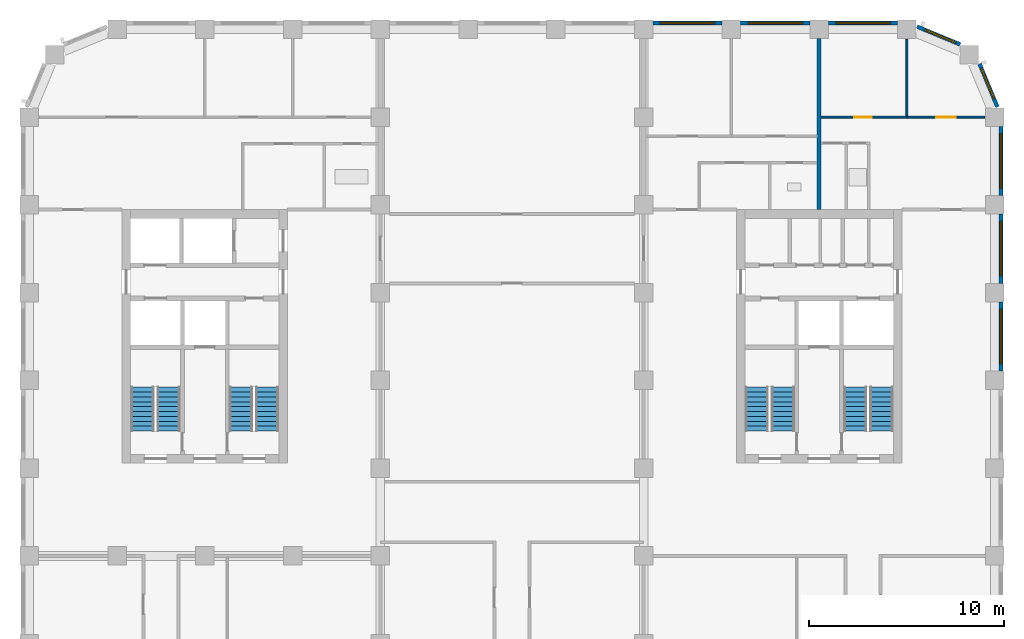
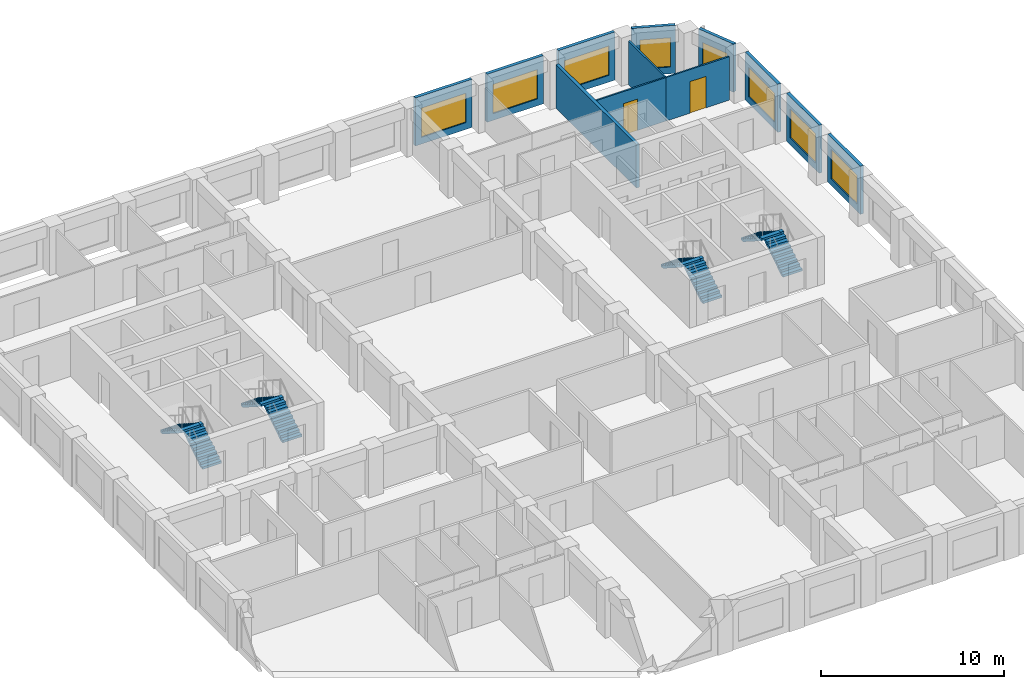
# One storey, part 9 of 12: 12 walls, 8 stair flights, 8 windows, 2 doors, 10 openings, 4 elements without a shape of their own.
"""IFC4 building model written with IfcOpenShell, lengths in metres."""

import ifcopenshell
import ifcopenshell.guid

model = None  # the IFC model being written
_history = None  # IfcOwnerHistory: only IFC2X3 demands one
_inside = {}  # id of a spatial element -> (the spatial element, [elements in it])
_under = {}  # id of a project, library or spatial element -> (it, [spatial elements below it])
_declared = {}  # id of a project -> (the project, [libraries it declares])
_typed = {}  # id of a type object -> (the type object, [elements of that type])
_made_of = {}  # id of a material, layer set ... -> (it, [elements and type objects made of it])


def new_model(schema):
    """Start an empty IFC model of exactly this schema.

    Asked for "IFC4X3", IfcOpenShell would pick the latest addendum, in which some entities
    have other attributes; the version numbers below select the first issue.
    IFC2X3 requires an IfcOwnerHistory on every rooted entity: one is made here for all.
    """
    global model, _history
    if schema == "IFC4X3":
        model = ifcopenshell.file(schema_version=(4, 3, 0, 0))
    else:
        model = ifcopenshell.file(schema=schema)
    _inside.clear()
    _under.clear()
    _declared.clear()
    _typed.clear()
    _made_of.clear()
    _history = None
    if model.schema == "IFC2X3":
        org = make("IfcOrganization", Name="unknown")
        user = make(
            "IfcPersonAndOrganization",
            ThePerson=make("IfcPerson", FamilyName="unknown"),
            TheOrganization=org,
        )
        app = make(
            "IfcApplication",
            ApplicationDeveloper=org,
            Version="unknown",
            ApplicationFullName="unknown",
            ApplicationIdentifier="unknown",
        )
        _history = make(
            "IfcOwnerHistory",
            OwningUser=user,
            OwningApplication=app,
            ChangeAction="ADDED",
            CreationDate=0,
        )
    return model


def make(cls, **values):
    """One entity of the class cls with the attributes given. An attribute that is None is left unset."""
    return model.create_entity(
        cls, **{name: value for name, value in values.items() if value is not None}
    )


def rooted(cls, **values):
    """An entity with a GlobalId (a new one), such as an element, a storey or a relation."""
    return make(cls, GlobalId=ifcopenshell.guid.new(), OwnerHistory=_history, **values)


def si_unit(unit_type, name, prefix=None):
    """IfcSIUnit, for example si_unit("LENGTHUNIT", "METRE", prefix="MILLI")."""
    return make("IfcSIUnit", UnitType=unit_type, Prefix=prefix, Name=name)


def assignment(units):
    """IfcUnitAssignment: the units of a project."""
    return None if units is None else make("IfcUnitAssignment", Units=units)


def point(xyz):
    """IfcCartesianPoint."""
    return None if xyz is None else make("IfcCartesianPoint", Coordinates=xyz)


def direction(xyz):
    """IfcDirection."""
    return None if xyz is None else make("IfcDirection", DirectionRatios=xyz)


def frame(location, z_axis=None, x_axis=None):
    """IfcAxis2Placement3D, a coordinate frame: its origin and axes. An axis left out is left unset."""
    return make(
        "IfcAxis2Placement3D",
        Location=point(location),
        Axis=direction(z_axis),
        RefDirection=direction(x_axis),
    )


def frame_2d(location, x_axis=None):
    """IfcAxis2Placement2D, a coordinate frame in the plane: its origin and x axis."""
    return make(
        "IfcAxis2Placement2D", Location=point(location), RefDirection=direction(x_axis)
    )


def origin():
    """The frame at (0, 0, 0) with its axes left unset."""
    return frame((0.0, 0.0, 0.0))


def place(relative_to, where):
    """IfcLocalPlacement: puts the frame where relative to a parent placement (None: the world)."""
    return make(
        "IfcLocalPlacement", PlacementRelTo=relative_to, RelativePlacement=where
    )


def context(
    kind, dimensions, precision=None, world=None, true_north=None, identifier=None
):
    """IfcGeometricRepresentationContext, for example the 3D "Model" context."""
    return make(
        "IfcGeometricRepresentationContext",
        ContextIdentifier=identifier,
        ContextType=kind,
        CoordinateSpaceDimension=dimensions,
        Precision=precision,
        WorldCoordinateSystem=world,
        TrueNorth=true_north,
    )


def subcontext(parent, identifier, kind, view, scale=None):
    """IfcGeometricRepresentationSubContext, for example "Body" below "Model"."""
    return make(
        "IfcGeometricRepresentationSubContext",
        ContextIdentifier=identifier,
        ContextType=kind,
        ParentContext=parent,
        TargetScale=scale,
        TargetView=view,
    )


def project(units=None, contexts=None):
    """IfcProject with its units and contexts."""
    return rooted(
        "IfcProject",
        Name="project",
        RepresentationContexts=contexts,
        UnitsInContext=assignment(units),
    )


def spatial(cls, under=None, at=None, **own):
    """A site, building, storey or space (cls), placed at a placement, below another one or the project."""
    s = rooted(cls, ObjectPlacement=at, **own)
    if under is not None:
        _under.setdefault(under.id(), (under, []))[1].append(s)
    return s


def polyline(points):
    """IfcPolyline through the points."""
    return make("IfcPolyline", Points=[point(p) for p in points])


def profile(cls, at=None, kind="AREA", **sizes):
    """A parametric profile (cls). Its sizes go by their IFC names, for example OverallWidth=200.0."""
    return make(cls, ProfileType=kind, Position=at, **sizes)


def rectangle(**sizes):
    """IfcRectangleProfileDef."""
    return profile("IfcRectangleProfileDef", **sizes)


def outline(outer, holes=None, kind="AREA"):
    """IfcArbitraryClosedProfileDef: a profile drawn as a closed curve; with holes, ...WithVoids."""
    if holes is None:
        return make("IfcArbitraryClosedProfileDef", ProfileType=kind, OuterCurve=outer)
    return make(
        "IfcArbitraryProfileDefWithVoids",
        ProfileType=kind,
        OuterCurve=outer,
        InnerCurves=holes,
    )


def extrude(swept, where, along, depth):
    """IfcExtrudedAreaSolid: the profile swept, set in the frame where, extruded along a direction by depth."""
    return make(
        "IfcExtrudedAreaSolid",
        SweptArea=swept,
        Position=where,
        ExtrudedDirection=direction(along),
        Depth=depth,
    )


def shape(context_of_items, identifier, shape_type, items):
    """IfcShapeRepresentation: the items that make up one representation, for example the "Body"."""
    return make(
        "IfcShapeRepresentation",
        ContextOfItems=context_of_items,
        RepresentationIdentifier=identifier,
        RepresentationType=shape_type,
        Items=items,
    )


def material(Name=None, Category=None):
    """IfcMaterial."""
    return make("IfcMaterial", Name=Name, Category=Category)


def layer(
    of_material, thickness, ventilated=None, Name=None, Category=None, Priority=None
):
    """IfcMaterialLayer: one layer of a wall or slab, of a material (None: an air gap)."""
    return make(
        "IfcMaterialLayer",
        Material=of_material,
        LayerThickness=thickness,
        IsVentilated=ventilated,
        Name=Name,
        Category=Category,
        Priority=Priority,
    )


def layer_set(layers, Name=None):
    """IfcMaterialLayerSet."""
    return make("IfcMaterialLayerSet", MaterialLayers=layers, LayerSetName=Name)


def made_of(thing, what):
    """Note that an element or type object is made of a material, layer set ...; save() writes the relation."""
    if what is not None:
        _made_of.setdefault(what.id(), (what, []))[1].append(thing)
    return thing


def type_object(cls, material=None, **own):
    """A type object (cls), such as IfcWallType, which elements share."""
    return made_of(rooted(cls, **own), material)


def element(
    cls,
    number,
    at=None,
    inside=None,
    cuts=None,
    type_object=None,
    material=None,
    context=None,
    identifier="Body",
    shape_type=None,
    held_by="IfcProductDefinitionShape",
    body=None,
    shapes=None,
    **own,
):
    """One element of the class cls, such as IfcWall. Its Tag is "e" and its number.

    at: its placement. inside: the storey or other place that contains it. cuts: it is an
    opening in that element (IfcRelVoidsElement). A single representation is given by context,
    identifier, shape_type and body (its items); several are given by shapes. held_by: the class
    of the entity that holds the representations. save() writes the other relations.
    """
    e = rooted(cls, Tag="e%d" % number, ObjectPlacement=at, **own)
    if body is not None:
        shapes = [shape(context, identifier, shape_type, body)]
    if shapes is not None:
        e.Representation = make(held_by, Representations=shapes)
    if inside is not None:
        _inside.setdefault(inside.id(), (inside, []))[1].append(e)
    if cuts is not None:
        rooted(
            "IfcRelVoidsElement", RelatingBuildingElement=cuts, RelatedOpeningElement=e
        )
    if type_object is not None:
        _typed.setdefault(type_object.id(), (type_object, []))[1].append(e)
    return made_of(e, material)


def fill(opening, filler):
    """IfcRelFillsElement: the door or window that sits in an opening."""
    return rooted(
        "IfcRelFillsElement",
        RelatingOpeningElement=opening,
        RelatedBuildingElement=filler,
    )


def aggregate(whole, parts):
    """IfcRelAggregates: a whole, such as a stair, and the parts it consists of."""
    return rooted("IfcRelAggregates", RelatingObject=whole, RelatedObjects=parts)


def save(model, path):
    """Write the relations noted so far, then the file.

    IfcRelAggregates (storeys below a building ...), IfcRelContainedInSpatialStructure (elements
    in a storey), IfcRelDefinesByType, IfcRelAssociatesMaterial and IfcRelDeclares: one each for
    every whole, place, type object, material and project.
    """
    for whole, parts in _under.values():
        aggregate(whole, parts)
    for where, things in _inside.values():
        rooted(
            "IfcRelContainedInSpatialStructure",
            RelatedElements=things,
            RelatingStructure=where,
        )
    for kind, things in _typed.values():
        rooted("IfcRelDefinesByType", RelatedObjects=things, RelatingType=kind)
    for what, things in _made_of.values():
        rooted("IfcRelAssociatesMaterial", RelatedObjects=things, RelatingMaterial=what)
    for by, libraries in _declared.values():
        rooted("IfcRelDeclares", RelatingContext=by, RelatedDefinitions=libraries)
    model.write(path)


model = new_model("IFC4")

# Units and contexts
model_context = context("Model", 3, precision=1e-05, world=origin(), true_north=direction((0.0, 1.0)))
body_context = subcontext(model_context, "Body", "Model", "MODEL_VIEW")
ifc_project = project(units=[si_unit("LENGTHUNIT", "METRE"), si_unit("AREAUNIT", "SQUARE_METRE"), si_unit("VOLUMEUNIT", "CUBIC_METRE"), si_unit("PLANEANGLEUNIT", "RADIAN"), si_unit("MASSUNIT", "GRAM", prefix="KILO")], contexts=[model_context])

# Site, building, storey
site_placement = place(None, origin())
site = spatial("IfcSite", under=ifc_project, at=site_placement, CompositionType="ELEMENT")
building_placement = place(site_placement, origin())
building = spatial("IfcBuilding", under=site, at=building_placement, Name="Girih Gate Residences", CompositionType="ELEMENT")
storey_placement = place(building_placement, frame((0.0, 0.0, 143.0)))
storey = spatial("IfcBuildingStorey", under=building, at=storey_placement, Name="L40", CompositionType="ELEMENT", Elevation=143.0)

# Wall, opening, door
ifc_material_1 = material(Name="Gypsum board on steel studs", Category="steel")
ifc_layer_1 = layer(ifc_material_1, 0.10009765625)
ifc_layer_set_1 = layer_set([ifc_layer_1], Name="Partition 100 mm")
wall_type_1 = type_object("IfcWallType", Name="Partition 100 mm", PredefinedType="PARTITIONING", material=ifc_layer_set_1)
wall_1_placement = place(storey_placement, frame((40.60009765625, 45.0, 0.0), z_axis=(0.0, 0.0, 1.0), x_axis=(1.0, 0.0, 0.0)))
wall_1 = element("IfcWall", 1, at=wall_1_placement, inside=storey, type_object=wall_type_1, Name="L40 partition", PredefinedType="PARTITIONING", context=body_context, shape_type="SweptSolid", body=[
    extrude(rectangle(XDim=4.39990234375, YDim=0.10009765625, at=frame_2d((2.199951171875, 0.0))), origin(), (0.0, 0.0, 1.0), 2.89990234375),
])
opening_1_placement = place(wall_1_placement, frame((1.699951171875, 0.0, 0.0)))
opening_1 = element("IfcOpeningElement", 2, at=opening_1_placement, cuts=wall_1, Name="Opening A40-029", PredefinedType="OPENING", context=body_context, shape_type="SweptSolid", body=[
    extrude(rectangle(XDim=0.89990234375, YDim=2.10009765625, at=frame_2d((0.449951171875, 1.050048828125))), frame((0.0, 0.06005859375, 0.0), z_axis=(0.0, -1.0, 0.0), x_axis=(1.0, 0.0, 0.0)), (0.0, 0.0, 1.0), 0.1201171875),
])
ifc_material_2 = material(Name="Timber", Category="wood")
door_type_1 = type_object("IfcDoorType", Name="Bedroom door 900x2100", OperationType="NOTDEFINED", PredefinedType="DOOR", material=ifc_material_2)
door_1_placement = place(opening_1_placement, origin())
door_1 = element("IfcDoor", 3, at=door_1_placement, inside=storey, type_object=door_type_1, Name="Door A40-029", OperationType="SINGLE_SWING_LEFT", OverallHeight=2.10009765625, OverallWidth=0.89990234375, PredefinedType="DOOR", context=body_context, shape_type="SweptSolid", body=[
    extrude(rectangle(XDim=0.89990234375, YDim=2.10009765625, at=frame_2d((0.449951171875, 1.050048828125))), frame((0.0, 0.02490234375, 0.0), z_axis=(0.0, -1.0, 0.0), x_axis=(1.0, 0.0, 0.0)), (0.0, 0.0, 1.0), 0.050048828125),
])
fill(opening_1, door_1)

# Wall
wall_2_placement = place(storey_placement, frame((45.0, 45.050048828125, 0.0), z_axis=(0.0, 0.0, 1.0), x_axis=(0.0, 1.0, 0.0)))
element("IfcWall", 4, at=wall_2_placement, inside=storey, type_object=wall_type_1, Name="L40 partition", PredefinedType="PARTITIONING", context=body_context, shape_type="SweptSolid", body=[
    extrude(rectangle(XDim=3.935791015625, YDim=0.10009765625, at=frame_2d((1.9677734375, 0.0))), origin(), (0.0, 0.0, 1.0), 2.89990234375),
])

# Wall, opening, door
wall_3_placement = place(storey_placement, frame((45.0, 45.0, 0.0), z_axis=(0.0, 0.0, 1.0), x_axis=(1.0, 0.0, 0.0)))
wall_3 = element("IfcWall", 5, at=wall_3_placement, inside=storey, type_object=wall_type_1, Name="L40 partition", PredefinedType="PARTITIONING", context=body_context, shape_type="SweptSolid", body=[
    extrude(rectangle(XDim=3.98583984375, YDim=0.10009765625, at=frame_2d((1.992919921875, 0.0))), origin(), (0.0, 0.0, 1.0), 2.89990234375),
])
opening_2_placement = place(wall_3_placement, frame((1.512451171875, 0.0, 0.0)))
opening_2 = element("IfcOpeningElement", 6, at=opening_2_placement, cuts=wall_3, Name="Opening A40-031", PredefinedType="OPENING", context=body_context, shape_type="SweptSolid", body=[
    extrude(rectangle(XDim=1.0, YDim=2.10009765625, at=frame_2d((0.5, 1.050048828125))), frame((0.0, 0.06005859375, 0.0), z_axis=(0.0, -1.0, 0.0), x_axis=(1.0, 0.0, 0.0)), (0.0, 0.0, 1.0), 0.1201171875),
])
door_type_2 = type_object("IfcDoorType", Name="Living room door 1000x2100", OperationType="NOTDEFINED", PredefinedType="DOOR", material=ifc_material_2)
door_2_placement = place(opening_2_placement, origin())
door_2 = element("IfcDoor", 7, at=door_2_placement, inside=storey, type_object=door_type_2, Name="Door A40-031", OperationType="SINGLE_SWING_RIGHT", OverallHeight=2.10009765625, OverallWidth=1.0, PredefinedType="DOOR", context=body_context, shape_type="SweptSolid", body=[
    extrude(rectangle(XDim=1.0, YDim=2.10009765625, at=frame_2d((0.5, 1.050048828125))), frame((0.0, 0.02490234375, 0.0), z_axis=(0.0, -1.0, 0.0), x_axis=(1.0, 0.0, 0.0)), (0.0, 0.0, 1.0), 0.050048828125),
])
fill(opening_2, door_2)

# Wall
ifc_layer_2 = layer(ifc_material_1, 0.199951171875)
ifc_layer_set_2 = layer_set([ifc_layer_2], Name="Party wall 200 mm")
wall_type_2 = type_object("IfcWallType", Name="Party wall 200 mm", PredefinedType="PARTITIONING", material=ifc_layer_set_2)
wall_4_placement = place(storey_placement, frame((40.5, 40.25, 0.0), z_axis=(0.0, 0.0, 1.0), x_axis=(0.0, 1.0, 0.0)))
element("IfcWall", 8, at=wall_4_placement, inside=storey, type_object=wall_type_2, Name="L40 partition", PredefinedType="PARTITIONING", context=body_context, shape_type="SweptSolid", body=[
    extrude(rectangle(XDim=8.77490234375, YDim=0.199951171875, at=frame_2d((4.387451171875, 0.0))), origin(), (0.0, 0.0, 1.0), 2.89990234375),
])

# Wall, opening, window
ifc_material_3 = material(Name="Precast concrete C50/60", Category="concrete")
ifc_layer_3 = layer(ifc_material_3, 0.06005859375, Name="Outer leaf")
ifc_material_4 = material(Name="Rigid PIR insulation")
ifc_layer_4 = layer(ifc_material_4, 0.090087890625, Name="Insulation")
ifc_material_5 = material(Name="Precast concrete C40/50", Category="concrete")
ifc_layer_5 = layer(ifc_material_5, 0.050048828125, Name="Inner leaf")
ifc_layer_set_3 = layer_set([ifc_layer_3, ifc_layer_4, ifc_layer_5], Name="Precast concrete C50/60 external wall 200")
wall_type_3 = type_object("IfcWallType", Name="Precast concrete C50/60 external wall 200", PredefinedType="SOLIDWALL", material=ifc_layer_set_3)
wall_5_placement = place(storey_placement, frame((49.824951171875, 35.52490234375, 0.0), z_axis=(0.0, 0.0, 1.0), x_axis=(0.0, -1.0, 0.0)))
wall_5 = element("IfcWall", 9, at=wall_5_placement, inside=storey, type_object=wall_type_3, Name="External wall E0495_0045.6", PredefinedType="SOLIDWALL", context=body_context, shape_type="SweptSolid", body=[
    extrude(rectangle(XDim=3.5498046875, YDim=0.199951171875, at=frame_2d((1.77490234375, 0.0))), origin(), (0.0, 0.0, 1.0), 3.199951171875),
])
opening_3_placement = place(wall_5_placement, frame((0.375, 0.0, 0.449951171875)))
opening_3 = element("IfcOpeningElement", 10, at=opening_3_placement, cuts=wall_5, Name="Opening W-1B", PredefinedType="OPENING", context=body_context, shape_type="SweptSolid", body=[
    extrude(rectangle(XDim=2.800048828125, YDim=1.949951171875, at=frame_2d((1.39990234375, 0.97509765625))), frame((0.0, 0.10986328125, 0.0), z_axis=(0.0, -1.0, 0.0), x_axis=(1.0, 0.0, 0.0)), (0.0, 0.0, 1.0), 0.219970703125),
])
ifc_material_6 = material(Name="Double glazing in aluminium frame", Category="aluminium")
window_type_1 = type_object("IfcWindowType", Name="Window W-1B 2800x1950", PartitioningType="SINGLE_PANEL", PredefinedType="WINDOW", material=ifc_material_6)
window_1_placement = place(opening_3_placement, origin())
window_1 = element("IfcWindow", 11, at=window_1_placement, inside=storey, type_object=window_type_1, Name="Window W-1B E0495_0045.6", OverallHeight=1.949951171875, OverallWidth=2.800048828125, PartitioningType="SINGLE_PANEL", PredefinedType="WINDOW", context=body_context, shape_type="SweptSolid", body=[
    extrude(rectangle(XDim=2.800048828125, YDim=1.949951171875, at=frame_2d((1.39990234375, 0.97509765625))), frame((0.0, 0.030029296875, 0.0), z_axis=(0.0, -1.0, 0.0), x_axis=(1.0, 0.0, 0.0)), (0.0, 0.0, 1.0), 0.06005859375),
])
fill(opening_3, window_1)

wall_6_placement = place(storey_placement, frame((49.824951171875, 40.02490234375, 0.0), z_axis=(0.0, 0.0, 1.0), x_axis=(0.0, -1.0, 0.0)))
wall_6 = element("IfcWall", 12, at=wall_6_placement, inside=storey, type_object=wall_type_3, Name="External wall E0495_0045.7", PredefinedType="SOLIDWALL", context=body_context, shape_type="SweptSolid", body=[
    extrude(rectangle(XDim=3.5498046875, YDim=0.199951171875, at=frame_2d((1.77490234375, 0.0))), origin(), (0.0, 0.0, 1.0), 3.199951171875),
])
opening_4_placement = place(wall_6_placement, frame((0.375, 0.0, 0.449951171875)))
opening_4 = element("IfcOpeningElement", 13, at=opening_4_placement, cuts=wall_6, Name="Opening W-1B", PredefinedType="OPENING", context=body_context, shape_type="SweptSolid", body=[
    extrude(rectangle(XDim=2.800048828125, YDim=1.949951171875, at=frame_2d((1.39990234375, 0.97509765625))), frame((0.0, 0.10986328125, 0.0), z_axis=(0.0, -1.0, 0.0), x_axis=(1.0, 0.0, 0.0)), (0.0, 0.0, 1.0), 0.219970703125),
])
window_2_placement = place(opening_4_placement, origin())
window_2 = element("IfcWindow", 14, at=window_2_placement, inside=storey, type_object=window_type_1, Name="Window W-1B E0495_0045.7", OverallHeight=1.949951171875, OverallWidth=2.800048828125, PartitioningType="SINGLE_PANEL", PredefinedType="WINDOW", context=body_context, shape_type="SweptSolid", body=[
    extrude(rectangle(XDim=2.800048828125, YDim=1.949951171875, at=frame_2d((1.39990234375, 0.97509765625))), frame((0.0, 0.030029296875, 0.0), z_axis=(0.0, -1.0, 0.0), x_axis=(1.0, 0.0, 0.0)), (0.0, 0.0, 1.0), 0.06005859375),
])
fill(opening_4, window_2)

wall_7_placement = place(storey_placement, frame((49.824951171875, 44.52490234375, 0.0), z_axis=(0.0, 0.0, 1.0), x_axis=(0.0, -1.0, 0.0)))
wall_7 = element("IfcWall", 15, at=wall_7_placement, inside=storey, type_object=wall_type_3, Name="External wall E0495_0045.8", PredefinedType="SOLIDWALL", context=body_context, shape_type="SweptSolid", body=[
    extrude(rectangle(XDim=3.5498046875, YDim=0.199951171875, at=frame_2d((1.77490234375, 0.0))), origin(), (0.0, 0.0, 1.0), 3.199951171875),
])
opening_5_placement = place(wall_7_placement, frame((0.375, 0.0, 0.449951171875)))
opening_5 = element("IfcOpeningElement", 16, at=opening_5_placement, cuts=wall_7, Name="Opening W-1B", PredefinedType="OPENING", context=body_context, shape_type="SweptSolid", body=[
    extrude(rectangle(XDim=2.800048828125, YDim=1.949951171875, at=frame_2d((1.39990234375, 0.97509765625))), frame((0.0, 0.10986328125, 0.0), z_axis=(0.0, -1.0, 0.0), x_axis=(1.0, 0.0, 0.0)), (0.0, 0.0, 1.0), 0.219970703125),
])
window_3_placement = place(opening_5_placement, origin())
window_3 = element("IfcWindow", 17, at=window_3_placement, inside=storey, type_object=window_type_1, Name="Window W-1B E0495_0045.8", OverallHeight=1.949951171875, OverallWidth=2.800048828125, PartitioningType="SINGLE_PANEL", PredefinedType="WINDOW", context=body_context, shape_type="SweptSolid", body=[
    extrude(rectangle(XDim=2.800048828125, YDim=1.949951171875, at=frame_2d((1.39990234375, 0.97509765625))), frame((0.0, 0.030029296875, 0.0), z_axis=(0.0, -1.0, 0.0), x_axis=(1.0, 0.0, 0.0)), (0.0, 0.0, 1.0), 0.06005859375),
])
fill(opening_5, window_3)

wall_8_placement = place(storey_placement, frame((48.7197265625, 47.73291015625, 0.0), z_axis=(0.0, 0.0, 1.0), x_axis=(0.382680855588, -0.923880599843, 0.0)))
wall_8 = element("IfcWall", 18, at=wall_8_placement, inside=storey, type_object=wall_type_3, Name="External wall NE0495_0450.0", PredefinedType="SOLIDWALL", context=body_context, shape_type="SweptSolid", body=[
    extrude(rectangle(XDim=2.402587890625, YDim=0.199951171875, at=frame_2d((1.201171875, 0.0))), origin(), (0.0, 0.0, 1.0), 3.199951171875),
])
opening_6_placement = place(wall_8_placement, frame((0.25146484375, 0.0, 0.449951171875)))
opening_6 = element("IfcOpeningElement", 19, at=opening_6_placement, cuts=wall_8, Name="Opening W-2E", PredefinedType="OPENING", context=body_context, shape_type="SweptSolid", body=[
    extrude(rectangle(XDim=1.699951171875, YDim=1.949951171875, at=frame_2d((0.85009765625, 0.97509765625))), frame((0.0, 0.10986328125, 0.0), z_axis=(0.0, -1.0, 0.0), x_axis=(1.0, 0.0, 0.0)), (0.0, 0.0, 1.0), 0.219970703125),
])
window_type_2 = type_object("IfcWindowType", Name="Window W-2E 1700x1950", PartitioningType="SINGLE_PANEL", PredefinedType="WINDOW", material=ifc_material_6)
window_4_placement = place(opening_6_placement, origin())
window_4 = element("IfcWindow", 20, at=window_4_placement, inside=storey, type_object=window_type_2, Name="Window W-2E NE0495_0450.0", OverallHeight=1.949951171875, OverallWidth=1.699951171875, PartitioningType="SINGLE_PANEL", PredefinedType="WINDOW", context=body_context, shape_type="SweptSolid", body=[
    extrude(rectangle(XDim=1.699951171875, YDim=1.949951171875, at=frame_2d((0.85009765625, 0.97509765625))), frame((0.0, 0.030029296875, 0.0), z_axis=(0.0, -1.0, 0.0), x_axis=(1.0, 0.0, 0.0)), (0.0, 0.0, 1.0), 0.06005859375),
])
fill(opening_6, window_4)

wall_9_placement = place(storey_placement, frame((45.51318359375, 49.63916015625, 0.0), z_axis=(0.0, 0.0, 1.0), x_axis=(0.923880599843, -0.382680855588, 0.0)))
wall_9 = element("IfcWall", 21, at=wall_9_placement, inside=storey, type_object=wall_type_3, Name="External wall NE0482_0482.0", PredefinedType="SOLIDWALL", context=body_context, shape_type="SweptSolid", body=[
    extrude(rectangle(XDim=2.402587890625, YDim=0.199951171875, at=frame_2d((1.201171875, 0.0))), origin(), (0.0, 0.0, 1.0), 3.199951171875),
])
opening_7_placement = place(wall_9_placement, frame((0.451171875, 0.0, 0.449951171875)))
opening_7 = element("IfcOpeningElement", 22, at=opening_7_placement, cuts=wall_9, Name="Opening W-2E", PredefinedType="OPENING", context=body_context, shape_type="SweptSolid", body=[
    extrude(rectangle(XDim=1.699951171875, YDim=1.949951171875, at=frame_2d((0.85009765625, 0.97509765625))), frame((0.0, 0.10986328125, 0.0), z_axis=(0.0, -1.0, 0.0), x_axis=(1.0, 0.0, 0.0)), (0.0, 0.0, 1.0), 0.219970703125),
])
window_5_placement = place(opening_7_placement, origin())
window_5 = element("IfcWindow", 23, at=window_5_placement, inside=storey, type_object=window_type_2, Name="Window W-2E NE0482_0482.0", OverallHeight=1.949951171875, OverallWidth=1.699951171875, PartitioningType="SINGLE_PANEL", PredefinedType="WINDOW", context=body_context, shape_type="SweptSolid", body=[
    extrude(rectangle(XDim=1.699951171875, YDim=1.949951171875, at=frame_2d((0.85009765625, 0.97509765625))), frame((0.0, 0.030029296875, 0.0), z_axis=(0.0, -1.0, 0.0), x_axis=(1.0, 0.0, 0.0)), (0.0, 0.0, 1.0), 0.06005859375),
])
fill(opening_7, window_5)

wall_10_placement = place(storey_placement, frame((40.97509765625, 49.824951171875, 0.0), z_axis=(0.0, 0.0, 1.0), x_axis=(1.0, 0.0, 0.0)))
wall_10 = element("IfcWall", 24, at=wall_10_placement, inside=storey, type_object=wall_type_3, Name="External wall N0450_0495.0", PredefinedType="SOLIDWALL", context=body_context, shape_type="SweptSolid", body=[
    extrude(rectangle(XDim=3.5498046875, YDim=0.199951171875, at=frame_2d((1.77490234375, 0.0))), origin(), (0.0, 0.0, 1.0), 3.199951171875),
])
opening_8_placement = place(wall_10_placement, frame((0.375, 0.0, 0.449951171875)))
opening_8 = element("IfcOpeningElement", 25, at=opening_8_placement, cuts=wall_10, Name="Opening W-1B", PredefinedType="OPENING", context=body_context, shape_type="SweptSolid", body=[
    extrude(rectangle(XDim=2.800048828125, YDim=1.949951171875, at=frame_2d((1.39990234375, 0.97509765625))), frame((0.0, 0.10986328125, 0.0), z_axis=(0.0, -1.0, 0.0), x_axis=(1.0, 0.0, 0.0)), (0.0, 0.0, 1.0), 0.219970703125),
])
window_6_placement = place(opening_8_placement, origin())
window_6 = element("IfcWindow", 26, at=window_6_placement, inside=storey, type_object=window_type_1, Name="Window W-1B N0450_0495.0", OverallHeight=1.949951171875, OverallWidth=2.800048828125, PartitioningType="SINGLE_PANEL", PredefinedType="WINDOW", context=body_context, shape_type="SweptSolid", body=[
    extrude(rectangle(XDim=2.800048828125, YDim=1.949951171875, at=frame_2d((1.39990234375, 0.97509765625))), frame((0.0, 0.030029296875, 0.0), z_axis=(0.0, -1.0, 0.0), x_axis=(1.0, 0.0, 0.0)), (0.0, 0.0, 1.0), 0.06005859375),
])
fill(opening_8, window_6)

wall_11_placement = place(storey_placement, frame((36.47509765625, 49.824951171875, 0.0), z_axis=(0.0, 0.0, 1.0), x_axis=(1.0, 0.0, 0.0)))
wall_11 = element("IfcWall", 27, at=wall_11_placement, inside=storey, type_object=wall_type_3, Name="External wall N0450_0495.1", PredefinedType="SOLIDWALL", context=body_context, shape_type="SweptSolid", body=[
    extrude(rectangle(XDim=3.5498046875, YDim=0.199951171875, at=frame_2d((1.77490234375, 0.0))), origin(), (0.0, 0.0, 1.0), 3.199951171875),
])
opening_9_placement = place(wall_11_placement, frame((0.375, 0.0, 0.449951171875)))
opening_9 = element("IfcOpeningElement", 28, at=opening_9_placement, cuts=wall_11, Name="Opening W-1B", PredefinedType="OPENING", context=body_context, shape_type="SweptSolid", body=[
    extrude(rectangle(XDim=2.800048828125, YDim=1.949951171875, at=frame_2d((1.39990234375, 0.97509765625))), frame((0.0, 0.10986328125, 0.0), z_axis=(0.0, -1.0, 0.0), x_axis=(1.0, 0.0, 0.0)), (0.0, 0.0, 1.0), 0.219970703125),
])
window_7_placement = place(opening_9_placement, origin())
window_7 = element("IfcWindow", 29, at=window_7_placement, inside=storey, type_object=window_type_1, Name="Window W-1B N0450_0495.1", OverallHeight=1.949951171875, OverallWidth=2.800048828125, PartitioningType="SINGLE_PANEL", PredefinedType="WINDOW", context=body_context, shape_type="SweptSolid", body=[
    extrude(rectangle(XDim=2.800048828125, YDim=1.949951171875, at=frame_2d((1.39990234375, 0.97509765625))), frame((0.0, 0.030029296875, 0.0), z_axis=(0.0, -1.0, 0.0), x_axis=(1.0, 0.0, 0.0)), (0.0, 0.0, 1.0), 0.06005859375),
])
fill(opening_9, window_7)

wall_12_placement = place(storey_placement, frame((31.97509765625, 49.824951171875, 0.0), z_axis=(0.0, 0.0, 1.0), x_axis=(1.0, 0.0, 0.0)))
wall_12 = element("IfcWall", 30, at=wall_12_placement, inside=storey, type_object=wall_type_3, Name="External wall N0450_0495.2", PredefinedType="SOLIDWALL", context=body_context, shape_type="SweptSolid", body=[
    extrude(rectangle(XDim=3.5498046875, YDim=0.199951171875, at=frame_2d((1.77490234375, 0.0))), origin(), (0.0, 0.0, 1.0), 3.199951171875),
])
opening_10_placement = place(wall_12_placement, frame((0.375, 0.0, 0.449951171875)))
opening_10 = element("IfcOpeningElement", 31, at=opening_10_placement, cuts=wall_12, Name="Opening W-1B", PredefinedType="OPENING", context=body_context, shape_type="SweptSolid", body=[
    extrude(rectangle(XDim=2.800048828125, YDim=1.949951171875, at=frame_2d((1.39990234375, 0.97509765625))), frame((0.0, 0.10986328125, 0.0), z_axis=(0.0, -1.0, 0.0), x_axis=(1.0, 0.0, 0.0)), (0.0, 0.0, 1.0), 0.219970703125),
])
window_8_placement = place(opening_10_placement, origin())
window_8 = element("IfcWindow", 32, at=window_8_placement, inside=storey, type_object=window_type_1, Name="Window W-1B N0450_0495.2", OverallHeight=1.949951171875, OverallWidth=2.800048828125, PartitioningType="SINGLE_PANEL", PredefinedType="WINDOW", context=body_context, shape_type="SweptSolid", body=[
    extrude(rectangle(XDim=2.800048828125, YDim=1.949951171875, at=frame_2d((1.39990234375, 0.97509765625))), frame((0.0, 0.030029296875, 0.0), z_axis=(0.0, -1.0, 0.0), x_axis=(1.0, 0.0, 0.0)), (0.0, 0.0, 1.0), 0.06005859375),
])
fill(opening_10, window_8)

# Stair, stair flights
ifc_material_7 = material(Name="Concrete C40/50", Category="concrete")
stair_type = type_object("IfcStairType", Name="Exit stair", PredefinedType="HALF_TURN_STAIR", material=ifc_material_7)
stair_1_placement = place(storey_placement, origin())
stair_1 = element("IfcStair", 33, at=stair_1_placement, inside=storey, type_object=stair_type, Name="L40 Exit Stair ST-W1", PredefinedType="HALF_TURN_STAIR")
stair_flight_type = type_object("IfcStairFlightType", Name="Stair flight 1200", PredefinedType="STRAIGHT", material=ifc_material_7)
stair_flight_1_placement = place(storey_placement, frame((7.14990234375, 28.89990234375, 0.0), z_axis=(0.0, 0.0, 1.0), x_axis=(0.0, 1.0, 0.0)))
stair_flight_1 = element("IfcStairFlight", 34, at=stair_flight_1_placement, type_object=stair_flight_type, Name="ST-W1 flight 1", NumberOfRisers=10, NumberOfTreads=9, PredefinedType="STRAIGHT", RiserHeight=0.16, TreadLength=0.25, context=body_context, shape_type="SweptSolid", body=[
    extrude(outline(polyline([(0.0, 0.0), (0.0, 0.159912109375), (0.25, 0.159912109375), (0.25, 0.320068359375), (0.5, 0.320068359375), (0.5, 0.47998046875), (0.75, 0.47998046875), (0.75, 0.639892578125), (1.0, 0.639892578125), (1.0, 0.800048828125), (1.25, 0.800048828125), (1.25, 0.9599609375), (1.5, 0.9599609375), (1.5, 1.1201171875), (1.75, 1.1201171875), (1.75, 1.280029296875), (2.0, 1.280029296875), (2.0, 1.43994140625), (2.25, 1.43994140625), (2.25, 1.60009765625), (2.25, 1.29736328125), (0.222900390625, 0.0), (0.0, 0.0)])), frame((0.0, 0.60009765625, 0.0), z_axis=(0.0, -1.0, 0.0), x_axis=(1.0, 0.0, 0.0)), (0.0, 0.0, 1.0), 1.199951171875),
])
stair_flight_2_placement = place(storey_placement, frame((5.800048828125, 31.14990234375, 1.60009765625), z_axis=(0.0, 0.0, 1.0), x_axis=(0.0, -1.0, 0.0)))
stair_flight_2 = element("IfcStairFlight", 35, at=stair_flight_2_placement, type_object=stair_flight_type, Name="ST-W1 flight 2", NumberOfRisers=10, NumberOfTreads=9, PredefinedType="STRAIGHT", RiserHeight=0.16, TreadLength=0.25, context=body_context, shape_type="SweptSolid", body=[
    extrude(outline(polyline([(0.0, 0.0), (0.0, 0.159912109375), (0.25, 0.159912109375), (0.25, 0.320068359375), (0.5, 0.320068359375), (0.5, 0.47998046875), (0.75, 0.47998046875), (0.75, 0.639892578125), (1.0, 0.639892578125), (1.0, 0.800048828125), (1.25, 0.800048828125), (1.25, 0.9599609375), (1.5, 0.9599609375), (1.5, 1.1201171875), (1.75, 1.1201171875), (1.75, 1.280029296875), (2.0, 1.280029296875), (2.0, 1.43994140625), (2.25, 1.43994140625), (2.25, 1.60009765625), (2.25, 1.29736328125), (0.222900390625, 0.0), (0.0, 0.0)])), frame((0.0, 0.60009765625, 0.0), z_axis=(0.0, -1.0, 0.0), x_axis=(1.0, 0.0, 0.0)), (0.0, 0.0, 1.0), 1.199951171875),
])
aggregate(stair_1, [stair_flight_1, stair_flight_2])

stair_2_placement = place(storey_placement, origin())
stair_2 = element("IfcStair", 36, at=stair_2_placement, inside=storey, type_object=stair_type, Name="L40 Exit Stair ST-W2", PredefinedType="HALF_TURN_STAIR")
stair_flight_3_placement = place(storey_placement, frame((12.199951171875, 28.89990234375, 0.0), z_axis=(0.0, 0.0, 1.0), x_axis=(0.0, 1.0, 0.0)))
stair_flight_3 = element("IfcStairFlight", 37, at=stair_flight_3_placement, type_object=stair_flight_type, Name="ST-W2 flight 1", NumberOfRisers=10, NumberOfTreads=9, PredefinedType="STRAIGHT", RiserHeight=0.16, TreadLength=0.25, context=body_context, shape_type="SweptSolid", body=[
    extrude(outline(polyline([(0.0, 0.0), (0.0, 0.159912109375), (0.25, 0.159912109375), (0.25, 0.320068359375), (0.5, 0.320068359375), (0.5, 0.47998046875), (0.75, 0.47998046875), (0.75, 0.639892578125), (1.0, 0.639892578125), (1.0, 0.800048828125), (1.25, 0.800048828125), (1.25, 0.9599609375), (1.5, 0.9599609375), (1.5, 1.1201171875), (1.75, 1.1201171875), (1.75, 1.280029296875), (2.0, 1.280029296875), (2.0, 1.43994140625), (2.25, 1.43994140625), (2.25, 1.60009765625), (2.25, 1.29736328125), (0.222900390625, 0.0), (0.0, 0.0)])), frame((0.0, 0.60009765625, 0.0), z_axis=(0.0, -1.0, 0.0), x_axis=(1.0, 0.0, 0.0)), (0.0, 0.0, 1.0), 1.199951171875),
])
stair_flight_4_placement = place(storey_placement, frame((10.85009765625, 31.14990234375, 1.60009765625), z_axis=(0.0, 0.0, 1.0), x_axis=(0.0, -1.0, 0.0)))
stair_flight_4 = element("IfcStairFlight", 38, at=stair_flight_4_placement, type_object=stair_flight_type, Name="ST-W2 flight 2", NumberOfRisers=10, NumberOfTreads=9, PredefinedType="STRAIGHT", RiserHeight=0.16, TreadLength=0.25, context=body_context, shape_type="SweptSolid", body=[
    extrude(outline(polyline([(0.0, 0.0), (0.0, 0.159912109375), (0.25, 0.159912109375), (0.25, 0.320068359375), (0.5, 0.320068359375), (0.5, 0.47998046875), (0.75, 0.47998046875), (0.75, 0.639892578125), (1.0, 0.639892578125), (1.0, 0.800048828125), (1.25, 0.800048828125), (1.25, 0.9599609375), (1.5, 0.9599609375), (1.5, 1.1201171875), (1.75, 1.1201171875), (1.75, 1.280029296875), (2.0, 1.280029296875), (2.0, 1.43994140625), (2.25, 1.43994140625), (2.25, 1.60009765625), (2.25, 1.29736328125), (0.222900390625, 0.0), (0.0, 0.0)])), frame((0.0, 0.60009765625, 0.0), z_axis=(0.0, -1.0, 0.0), x_axis=(1.0, 0.0, 0.0)), (0.0, 0.0, 1.0), 1.199951171875),
])
aggregate(stair_2, [stair_flight_3, stair_flight_4])

stair_3_placement = place(storey_placement, origin())
stair_3 = element("IfcStair", 39, at=stair_3_placement, inside=storey, type_object=stair_type, Name="L40 Exit Stair ST-E1", PredefinedType="HALF_TURN_STAIR")
stair_flight_5_placement = place(storey_placement, frame((43.699951171875, 28.89990234375, 0.0), z_axis=(0.0, 0.0, 1.0), x_axis=(0.0, 1.0, 0.0)))
stair_flight_5 = element("IfcStairFlight", 40, at=stair_flight_5_placement, type_object=stair_flight_type, Name="ST-E1 flight 1", NumberOfRisers=10, NumberOfTreads=9, PredefinedType="STRAIGHT", RiserHeight=0.16, TreadLength=0.25, context=body_context, shape_type="SweptSolid", body=[
    extrude(outline(polyline([(0.0, 0.0), (0.0, 0.159912109375), (0.25, 0.159912109375), (0.25, 0.320068359375), (0.5, 0.320068359375), (0.5, 0.47998046875), (0.75, 0.47998046875), (0.75, 0.639892578125), (1.0, 0.639892578125), (1.0, 0.800048828125), (1.25, 0.800048828125), (1.25, 0.9599609375), (1.5, 0.9599609375), (1.5, 1.1201171875), (1.75, 1.1201171875), (1.75, 1.280029296875), (2.0, 1.280029296875), (2.0, 1.43994140625), (2.25, 1.43994140625), (2.25, 1.60009765625), (2.25, 1.29736328125), (0.222900390625, 0.0), (0.0, 0.0)])), frame((0.0, 0.60009765625, 0.0), z_axis=(0.0, -1.0, 0.0), x_axis=(1.0, 0.0, 0.0)), (0.0, 0.0, 1.0), 1.199951171875),
])
stair_flight_6_placement = place(storey_placement, frame((42.35009765625, 31.14990234375, 1.60009765625), z_axis=(0.0, 0.0, 1.0), x_axis=(0.0, -1.0, 0.0)))
stair_flight_6 = element("IfcStairFlight", 41, at=stair_flight_6_placement, type_object=stair_flight_type, Name="ST-E1 flight 2", NumberOfRisers=10, NumberOfTreads=9, PredefinedType="STRAIGHT", RiserHeight=0.16, TreadLength=0.25, context=body_context, shape_type="SweptSolid", body=[
    extrude(outline(polyline([(0.0, 0.0), (0.0, 0.159912109375), (0.25, 0.159912109375), (0.25, 0.320068359375), (0.5, 0.320068359375), (0.5, 0.47998046875), (0.75, 0.47998046875), (0.75, 0.639892578125), (1.0, 0.639892578125), (1.0, 0.800048828125), (1.25, 0.800048828125), (1.25, 0.9599609375), (1.5, 0.9599609375), (1.5, 1.1201171875), (1.75, 1.1201171875), (1.75, 1.280029296875), (2.0, 1.280029296875), (2.0, 1.43994140625), (2.25, 1.43994140625), (2.25, 1.60009765625), (2.25, 1.29736328125), (0.222900390625, 0.0), (0.0, 0.0)])), frame((0.0, 0.60009765625, 0.0), z_axis=(0.0, -1.0, 0.0), x_axis=(1.0, 0.0, 0.0)), (0.0, 0.0, 1.0), 1.199951171875),
])
aggregate(stair_3, [stair_flight_5, stair_flight_6])

stair_4_placement = place(storey_placement, origin())
stair_4 = element("IfcStair", 42, at=stair_4_placement, inside=storey, type_object=stair_type, Name="L40 Exit Stair ST-E2", PredefinedType="HALF_TURN_STAIR")
stair_flight_7_placement = place(storey_placement, frame((38.64990234375, 28.89990234375, 0.0), z_axis=(0.0, 0.0, 1.0), x_axis=(0.0, 1.0, 0.0)))
stair_flight_7 = element("IfcStairFlight", 43, at=stair_flight_7_placement, type_object=stair_flight_type, Name="ST-E2 flight 1", NumberOfRisers=10, NumberOfTreads=9, PredefinedType="STRAIGHT", RiserHeight=0.16, TreadLength=0.25, context=body_context, shape_type="SweptSolid", body=[
    extrude(outline(polyline([(0.0, 0.0), (0.0, 0.159912109375), (0.25, 0.159912109375), (0.25, 0.320068359375), (0.5, 0.320068359375), (0.5, 0.47998046875), (0.75, 0.47998046875), (0.75, 0.639892578125), (1.0, 0.639892578125), (1.0, 0.800048828125), (1.25, 0.800048828125), (1.25, 0.9599609375), (1.5, 0.9599609375), (1.5, 1.1201171875), (1.75, 1.1201171875), (1.75, 1.280029296875), (2.0, 1.280029296875), (2.0, 1.43994140625), (2.25, 1.43994140625), (2.25, 1.60009765625), (2.25, 1.29736328125), (0.222900390625, 0.0), (0.0, 0.0)])), frame((0.0, 0.60009765625, 0.0), z_axis=(0.0, -1.0, 0.0), x_axis=(1.0, 0.0, 0.0)), (0.0, 0.0, 1.0), 1.199951171875),
])
stair_flight_8_placement = place(storey_placement, frame((37.300048828125, 31.14990234375, 1.60009765625), z_axis=(0.0, 0.0, 1.0), x_axis=(0.0, -1.0, 0.0)))
stair_flight_8 = element("IfcStairFlight", 44, at=stair_flight_8_placement, type_object=stair_flight_type, Name="ST-E2 flight 2", NumberOfRisers=10, NumberOfTreads=9, PredefinedType="STRAIGHT", RiserHeight=0.16, TreadLength=0.25, context=body_context, shape_type="SweptSolid", body=[
    extrude(outline(polyline([(0.0, 0.0), (0.0, 0.159912109375), (0.25, 0.159912109375), (0.25, 0.320068359375), (0.5, 0.320068359375), (0.5, 0.47998046875), (0.75, 0.47998046875), (0.75, 0.639892578125), (1.0, 0.639892578125), (1.0, 0.800048828125), (1.25, 0.800048828125), (1.25, 0.9599609375), (1.5, 0.9599609375), (1.5, 1.1201171875), (1.75, 1.1201171875), (1.75, 1.280029296875), (2.0, 1.280029296875), (2.0, 1.43994140625), (2.25, 1.43994140625), (2.25, 1.60009765625), (2.25, 1.29736328125), (0.222900390625, 0.0), (0.0, 0.0)])), frame((0.0, 0.60009765625, 0.0), z_axis=(0.0, -1.0, 0.0), x_axis=(1.0, 0.0, 0.0)), (0.0, 0.0, 1.0), 1.199951171875),
])
aggregate(stair_4, [stair_flight_7, stair_flight_8])

save(model, "model.ifc")
